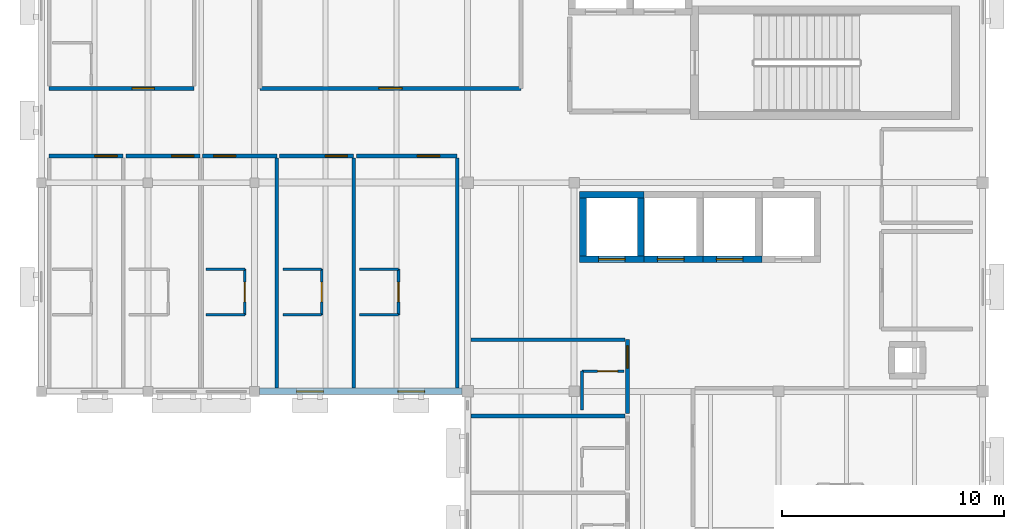
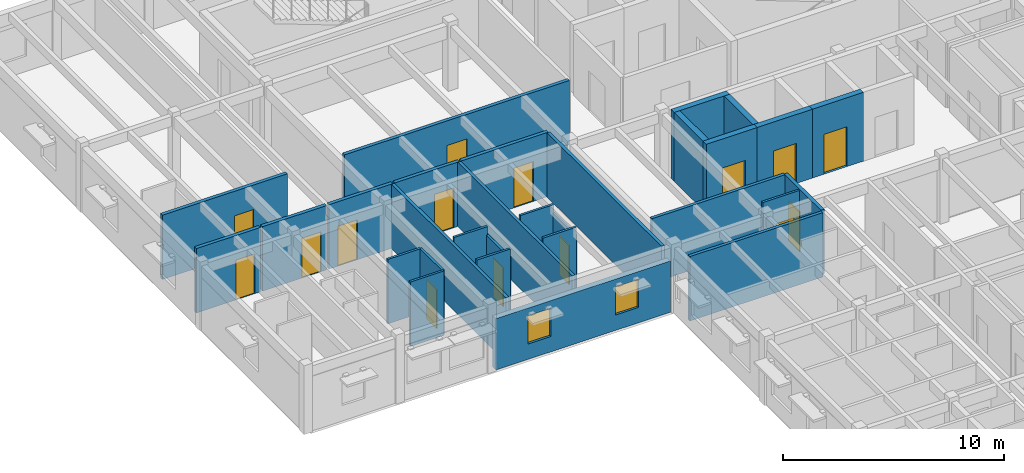
# One storey, part 13 of 20: 31 walls, 15 doors, 2 windows, 17 openings.
"""IFC4 building model written with IfcOpenShell, lengths in metres."""

from ifc_helpers import new_model, si_unit, direction, frame, frame_2d, origin, place, context, subcontext, project, spatial, rectangle, extrude, material, layer, layer_set, type_object, element, fill, save


model = new_model("IFC4")

# Units and contexts
model_context = context("Model", 3, precision=1e-05, world=origin(), true_north=direction((0.0, 1.0)))
body_context = subcontext(model_context, "Body", "Model", "MODEL_VIEW")
ifc_project = project(units=[si_unit("LENGTHUNIT", "METRE"), si_unit("AREAUNIT", "SQUARE_METRE"), si_unit("VOLUMEUNIT", "CUBIC_METRE"), si_unit("PLANEANGLEUNIT", "RADIAN"), si_unit("MASSUNIT", "GRAM", prefix="KILO")], contexts=[model_context])

# Site, building, storey
site_placement = place(None, origin())
site = spatial("IfcSite", under=ifc_project, at=site_placement, CompositionType="ELEMENT")
building_placement = place(site_placement, origin())
building = spatial("IfcBuilding", under=site, at=building_placement, Name="Veldera Park Congress Hotel", CompositionType="ELEMENT")
storey_placement = place(building_placement, frame((0.0, 0.0, 27.60009765625)))
storey = spatial("IfcBuildingStorey", under=building, at=storey_placement, Name="L06", CompositionType="ELEMENT", Elevation=27.60009765625)

# Wall, openings, windows
ifc_material_1 = material(Name="Cross-laminated timber CLT V2M1.1", Category="wood")
ifc_layer_1 = layer(ifc_material_1, 0.300048828125)
ifc_layer_set_1 = layer_set([ifc_layer_1], Name="Cross-laminated timber CLT V2M1.1")
wall_type_1 = type_object("IfcWallType", Name="EW-CLT300", PredefinedType="STANDARD", material=ifc_layer_set_1)
wall_1_placement = place(storey_placement, frame((51.423095703125, 27.0, 0.0), z_axis=(0.0, 0.0, 1.0), x_axis=(1.0, 0.0, 0.0)))
wall_1 = element("IfcWall", 1, at=wall_1_placement, inside=storey, type_object=wall_type_1, Name="L06 Exterior Wall EW3-L06-0331", PredefinedType="STANDARD", context=body_context, shape_type="SweptSolid", body=[
    extrude(rectangle(XDim=9.118896484375, YDim=0.300048828125, at=frame_2d((4.5595703125, 0.0))), origin(), (0.0, 0.0, 1.0), 2.829833984375),
])
opening_1_placement = place(wall_1_placement, frame((1.6796875, 0.0, 0.85009765625)))
opening_1 = element("IfcOpeningElement", 2, at=opening_1_placement, cuts=wall_1, Name="Opening WIN-1200", PredefinedType="OPENING", context=body_context, shape_type="SweptSolid", body=[
    extrude(rectangle(XDim=1.199951171875, YDim=1.550048828125, at=frame_2d((0.60009765625, 0.77490234375))), frame((0.0, 0.162109375, 0.0), z_axis=(0.0, -1.0, 0.0), x_axis=(1.0, 0.0, 0.0)), (0.0, 0.0, 1.0), 0.323974609375),
])
opening_2_placement = place(wall_1_placement, frame((6.2392578125, 0.0, 0.85009765625)))
opening_2 = element("IfcOpeningElement", 3, at=opening_2_placement, cuts=wall_1, Name="Opening WIN-1200", PredefinedType="OPENING", context=body_context, shape_type="SweptSolid", body=[
    extrude(rectangle(XDim=1.199951171875, YDim=1.550048828125, at=frame_2d((0.60009765625, 0.77490234375))), frame((0.0, 0.162109375, 0.0), z_axis=(0.0, -1.0, 0.0), x_axis=(1.0, 0.0, 0.0)), (0.0, 0.0, 1.0), 0.323974609375),
])
ifc_material_2 = material(Name="Low-E Triple Insulating Glass Unit (SHGC 0.22)", Category="glass")
window_type = type_object("IfcWindowType", Name="WIN-1200", PartitioningType="SINGLE_PANEL", PredefinedType="WINDOW", material=ifc_material_2)
window_1_placement = place(opening_1_placement, origin())
window_1 = element("IfcWindow", 4, at=window_1_placement, inside=storey, type_object=window_type, Name="L06 Window WIN-1200 252", OverallHeight=1.550048828125, OverallWidth=1.199951171875, PartitioningType="SINGLE_PANEL", PredefinedType="WINDOW", context=body_context, shape_type="SweptSolid", body=[
    extrude(rectangle(XDim=1.199951171875, YDim=1.550048828125, at=frame_2d((0.60009765625, 0.77490234375))), frame((0.0, 0.030029296875, 0.0), z_axis=(0.0, -1.0, 0.0), x_axis=(1.0, 0.0, 0.0)), (0.0, 0.0, 1.0), 0.06005859375),
])
fill(opening_1, window_1)
window_2_placement = place(opening_2_placement, origin())
window_2 = element("IfcWindow", 5, at=window_2_placement, inside=storey, type_object=window_type, Name="L06 Window WIN-1200 253", OverallHeight=1.550048828125, OverallWidth=1.199951171875, PartitioningType="SINGLE_PANEL", PredefinedType="WINDOW", context=body_context, shape_type="SweptSolid", body=[
    extrude(rectangle(XDim=1.199951171875, YDim=1.550048828125, at=frame_2d((0.60009765625, 0.77490234375))), frame((0.0, 0.030029296875, 0.0), z_axis=(0.0, -1.0, 0.0), x_axis=(1.0, 0.0, 0.0)), (0.0, 0.0, 1.0), 0.06005859375),
])
fill(opening_2, window_2)

# Wall
ifc_material_3 = material(Name="Fire-Rated Gypsum Board on Cold-Formed Steel Studs", Category="steel")
ifc_layer_2 = layer(ifc_material_3, 0.1201171875)
ifc_layer_set_2 = layer_set([ifc_layer_2], Name="Fire-Rated Gypsum Board on Cold-Formed Steel Studs")
wall_type_2 = type_object("IfcWallType", Name="IW-BATH120", PredefinedType="PARTITIONING", material=ifc_layer_set_2)
wall_2_placement = place(storey_placement, frame((65.949951171875, 26.159912109375, 0.0), z_axis=(0.0, 0.0, 1.0), x_axis=(0.0, 1.0, 0.0)))
element("IfcWall", 6, at=wall_2_placement, inside=storey, type_object=wall_type_2, Name="L06 Partition Wall IW3-L06-01258", PredefinedType="PARTITIONING", context=body_context, shape_type="SweptSolid", body=[
    extrude(rectangle(XDim=1.75, YDim=0.1201171875, at=frame_2d((0.875, 0.0))), origin(), (0.0, 0.0, 1.0), 2.929931640625),
])

# Wall, opening, door
wall_3_placement = place(storey_placement, frame((65.949951171875, 27.909912109375, 0.0), z_axis=(0.0, 0.0, 1.0), x_axis=(1.0, 0.0, 0.0)))
wall_3 = element("IfcWall", 7, at=wall_3_placement, inside=storey, type_object=wall_type_2, Name="L06 Partition Wall IW3-L06-01259", PredefinedType="PARTITIONING", context=body_context, shape_type="SweptSolid", body=[
    extrude(rectangle(XDim=1.900146484375, YDim=0.1201171875, at=frame_2d((0.9501953125, 0.0))), origin(), (0.0, 0.0, 1.0), 3.554931640625),
])
opening_3_placement = place(wall_3_placement, frame((0.708984375, 0.0, 0.0)))
opening_3 = element("IfcOpeningElement", 8, at=opening_3_placement, cuts=wall_3, Name="Opening ID-BATH090", PredefinedType="OPENING", context=body_context, shape_type="SweptSolid", body=[
    extrude(rectangle(XDim=0.89990234375, YDim=2.14990234375, at=frame_2d((0.449951171875, 1.074951171875))), frame((0.0, 0.072021484375, 0.0), z_axis=(0.0, -1.0, 0.0), x_axis=(1.0, 0.0, 0.0)), (0.0, 0.0, 1.0), 0.14404296875),
])
ifc_material_4 = material(Name="Solid Core White Oak Architectural Door", Category="wood")
door_type_1 = type_object("IfcDoorType", Name="ID-BATH090", OperationType="NOTDEFINED", PredefinedType="DOOR", material=ifc_material_4)
door_1_placement = place(opening_3_placement, origin())
door_1 = element("IfcDoor", 9, at=door_1_placement, inside=storey, type_object=door_type_1, Name="L06 En-suite 194 Door ID3-L06-0527 (DR3-ID3-L06-0527)", OperationType="SINGLE_SWING_LEFT", OverallHeight=2.14990234375, OverallWidth=0.89990234375, PredefinedType="DOOR", context=body_context, shape_type="SweptSolid", body=[
    extrude(rectangle(XDim=0.89990234375, YDim=2.14990234375, at=frame_2d((0.449951171875, 1.074951171875))), frame((0.0, 0.02490234375, 0.0), z_axis=(0.0, -1.0, 0.0), x_axis=(1.0, 0.0, 0.0)), (0.0, 0.0, 1.0), 0.050048828125),
])
fill(opening_3, door_1)

# Wall
wall_4_placement = place(storey_placement, frame((49.02001953125, 32.5, 0.0), z_axis=(0.0, 0.0, 1.0), x_axis=(1.0, 0.0, 0.0)))
element("IfcWall", 10, at=wall_4_placement, inside=storey, type_object=wall_type_2, Name="L06 Partition Wall IW3-L06-01345", PredefinedType="PARTITIONING", context=body_context, shape_type="SweptSolid", body=[
    extrude(rectangle(XDim=1.75, YDim=0.1201171875, at=frame_2d((0.875, 0.0))), origin(), (0.0, 0.0, 1.0), 3.554931640625),
])

# Wall, opening, door
wall_5_placement = place(storey_placement, frame((50.77001953125, 30.449951171875, 0.0), z_axis=(0.0, 0.0, 1.0), x_axis=(0.0, 1.0, 0.0)))
wall_5 = element("IfcWall", 11, at=wall_5_placement, inside=storey, type_object=wall_type_2, Name="L06 Partition Wall IW3-L06-01346", PredefinedType="PARTITIONING", context=body_context, shape_type="SweptSolid", body=[
    extrude(rectangle(XDim=2.050048828125, YDim=0.1201171875, at=frame_2d((1.02490234375, 0.0))), origin(), (0.0, 0.0, 1.0), 3.554931640625),
])
opening_4_placement = place(wall_5_placement, frame((0.574951171875, 0.0, 0.0)))
opening_4 = element("IfcOpeningElement", 12, at=opening_4_placement, cuts=wall_5, Name="Opening ID-BATH090", PredefinedType="OPENING", context=body_context, shape_type="SweptSolid", body=[
    extrude(rectangle(XDim=0.89990234375, YDim=2.14990234375, at=frame_2d((0.449951171875, 1.074951171875))), frame((0.0, 0.072021484375, 0.0), z_axis=(0.0, -1.0, 0.0), x_axis=(1.0, 0.0, 0.0)), (0.0, 0.0, 1.0), 0.14404296875),
])
door_2_placement = place(opening_4_placement, origin())
door_2 = element("IfcDoor", 13, at=door_2_placement, inside=storey, type_object=door_type_1, Name="L06 En-suite 211 Door ID3-L06-0561 (DR3-ID3-L06-0561)", OperationType="SINGLE_SWING_LEFT", OverallHeight=2.14990234375, OverallWidth=0.89990234375, PredefinedType="DOOR", context=body_context, shape_type="SweptSolid", body=[
    extrude(rectangle(XDim=0.89990234375, YDim=2.14990234375, at=frame_2d((0.449951171875, 1.074951171875))), frame((0.0, 0.02490234375, 0.0), z_axis=(0.0, -1.0, 0.0), x_axis=(1.0, 0.0, 0.0)), (0.0, 0.0, 1.0), 0.050048828125),
])
fill(opening_4, door_2)

# Walls
for number, where, z_axis, x_axis, name in (
    (14, (49.02001953125, 30.449951171875, 0.0), (0.0, 0.0, 1.0), (1.0, 0.0, 0.0), "L06 Partition Wall IW3-L06-01347"),
    (15, (52.47998046875, 32.5, 0.0), (0.0, 0.0, 1.0), (1.0, 0.0, 0.0), "L06 Partition Wall IW3-L06-01350"),
):
    element("IfcWall", number, at=place(storey_placement, frame(where, z_axis=z_axis, x_axis=x_axis)), inside=storey, type_object=wall_type_2, Name=name, PredefinedType="PARTITIONING", context=body_context, shape_type="SweptSolid", body=[
        extrude(rectangle(XDim=1.75, YDim=0.1201171875, at=frame_2d((0.875, 0.0))), origin(), (0.0, 0.0, 1.0), 3.554931640625),
    ])

# Wall, opening, door
wall_6_placement = place(storey_placement, frame((54.22998046875, 30.449951171875, 0.0), z_axis=(0.0, 0.0, 1.0), x_axis=(0.0, 1.0, 0.0)))
wall_6 = element("IfcWall", 16, at=wall_6_placement, inside=storey, type_object=wall_type_2, Name="L06 Partition Wall IW3-L06-01351", PredefinedType="PARTITIONING", context=body_context, shape_type="SweptSolid", body=[
    extrude(rectangle(XDim=2.050048828125, YDim=0.1201171875, at=frame_2d((1.02490234375, 0.0))), origin(), (0.0, 0.0, 1.0), 3.099853515625),
])
opening_5_placement = place(wall_6_placement, frame((0.574951171875, 0.0, 0.0)))
opening_5 = element("IfcOpeningElement", 17, at=opening_5_placement, cuts=wall_6, Name="Opening ID-BATH090", PredefinedType="OPENING", context=body_context, shape_type="SweptSolid", body=[
    extrude(rectangle(XDim=0.89990234375, YDim=2.14990234375, at=frame_2d((0.449951171875, 1.074951171875))), frame((0.0, 0.072021484375, 0.0), z_axis=(0.0, -1.0, 0.0), x_axis=(1.0, 0.0, 0.0)), (0.0, 0.0, 1.0), 0.14404296875),
])
door_3_placement = place(opening_5_placement, origin())
door_3 = element("IfcDoor", 18, at=door_3_placement, inside=storey, type_object=door_type_1, Name="L06 En-suite 212 Door ID3-L06-0563 (DR3-ID3-L06-0563)", OperationType="SINGLE_SWING_LEFT", OverallHeight=2.14990234375, OverallWidth=0.89990234375, PredefinedType="DOOR", context=body_context, shape_type="SweptSolid", body=[
    extrude(rectangle(XDim=0.89990234375, YDim=2.14990234375, at=frame_2d((0.449951171875, 1.074951171875))), frame((0.0, 0.02490234375, 0.0), z_axis=(0.0, -1.0, 0.0), x_axis=(1.0, 0.0, 0.0)), (0.0, 0.0, 1.0), 0.050048828125),
])
fill(opening_5, door_3)

# Walls
for number, where, z_axis, x_axis, name in (
    (19, (52.47998046875, 30.449951171875, 0.0), (0.0, 0.0, 1.0), (1.0, 0.0, 0.0), "L06 Partition Wall IW3-L06-01352"),
    (20, (55.93994140625, 32.5, 0.0), (0.0, 0.0, 1.0), (1.0, 0.0, 0.0), "L06 Partition Wall IW3-L06-01355"),
):
    element("IfcWall", number, at=place(storey_placement, frame(where, z_axis=z_axis, x_axis=x_axis)), inside=storey, type_object=wall_type_2, Name=name, PredefinedType="PARTITIONING", context=body_context, shape_type="SweptSolid", body=[
        extrude(rectangle(XDim=1.75, YDim=0.1201171875, at=frame_2d((0.875, 0.0))), origin(), (0.0, 0.0, 1.0), 3.554931640625),
    ])

# Wall, opening, door
wall_7_placement = place(storey_placement, frame((57.68994140625, 30.449951171875, 0.0), z_axis=(0.0, 0.0, 1.0), x_axis=(0.0, 1.0, 0.0)))
wall_7 = element("IfcWall", 21, at=wall_7_placement, inside=storey, type_object=wall_type_2, Name="L06 Partition Wall IW3-L06-01356", PredefinedType="PARTITIONING", context=body_context, shape_type="SweptSolid", body=[
    extrude(rectangle(XDim=2.050048828125, YDim=0.1201171875, at=frame_2d((1.02490234375, 0.0))), origin(), (0.0, 0.0, 1.0), 3.099853515625),
])
opening_6_placement = place(wall_7_placement, frame((0.574951171875, 0.0, 0.0)))
opening_6 = element("IfcOpeningElement", 22, at=opening_6_placement, cuts=wall_7, Name="Opening ID-BATH090", PredefinedType="OPENING", context=body_context, shape_type="SweptSolid", body=[
    extrude(rectangle(XDim=0.89990234375, YDim=2.14990234375, at=frame_2d((0.449951171875, 1.074951171875))), frame((0.0, 0.072021484375, 0.0), z_axis=(0.0, -1.0, 0.0), x_axis=(1.0, 0.0, 0.0)), (0.0, 0.0, 1.0), 0.14404296875),
])
door_4_placement = place(opening_6_placement, origin())
door_4 = element("IfcDoor", 23, at=door_4_placement, inside=storey, type_object=door_type_1, Name="L06 En-suite 213 Door ID3-L06-0565 (DR3-ID3-L06-0565)", OperationType="SINGLE_SWING_LEFT", OverallHeight=2.14990234375, OverallWidth=0.89990234375, PredefinedType="DOOR", context=body_context, shape_type="SweptSolid", body=[
    extrude(rectangle(XDim=0.89990234375, YDim=2.14990234375, at=frame_2d((0.449951171875, 1.074951171875))), frame((0.0, 0.02490234375, 0.0), z_axis=(0.0, -1.0, 0.0), x_axis=(1.0, 0.0, 0.0)), (0.0, 0.0, 1.0), 0.050048828125),
])
fill(opening_6, door_4)

# Wall
wall_8_placement = place(storey_placement, frame((55.93994140625, 30.449951171875, 0.0), z_axis=(0.0, 0.0, 1.0), x_axis=(1.0, 0.0, 0.0)))
element("IfcWall", 24, at=wall_8_placement, inside=storey, type_object=wall_type_2, Name="L06 Partition Wall IW3-L06-01357", PredefinedType="PARTITIONING", context=body_context, shape_type="SweptSolid", body=[
    extrude(rectangle(XDim=1.75, YDim=0.1201171875, at=frame_2d((0.875, 0.0))), origin(), (0.0, 0.0, 1.0), 3.554931640625),
])

# Wall, opening, door
ifc_layer_3 = layer(ifc_material_3, 0.179931640625)
ifc_layer_set_3 = layer_set([ifc_layer_3], Name="Fire-Rated Gypsum Board on Cold-Formed Steel Studs")
wall_type_3 = type_object("IfcWallType", Name="IW-CORR180", PredefinedType="PARTITIONING", material=ifc_layer_set_3)
wall_9_placement = place(storey_placement, frame((51.449951171875, 40.64990234375, 0.0), z_axis=(0.0, 0.0, 1.0), x_axis=(1.0, 0.0, 0.0)))
wall_9 = element("IfcWall", 25, at=wall_9_placement, inside=storey, type_object=wall_type_3, Name="L06 Partition Wall IW3-L06-00279", PredefinedType="PARTITIONING", context=body_context, shape_type="SweptSolid", body=[
    extrude(rectangle(XDim=11.75, YDim=0.179931640625, at=frame_2d((5.875, 0.0))), origin(), (0.0, 0.0, 1.0), 3.554931640625),
])
opening_7_placement = place(wall_9_placement, frame((5.35009765625, 0.0, 0.0)))
opening_7 = element("IfcOpeningElement", 26, at=opening_7_placement, cuts=wall_9, Name="Opening ID-MEET105", PredefinedType="OPENING", context=body_context, shape_type="SweptSolid", body=[
    extrude(rectangle(XDim=1.050048828125, YDim=2.199951171875, at=frame_2d((0.52490234375, 1.10009765625))), frame((0.0, 0.10205078125, 0.0), z_axis=(0.0, -1.0, 0.0), x_axis=(1.0, 0.0, 0.0)), (0.0, 0.0, 1.0), 0.203857421875),
])
door_type_2 = type_object("IfcDoorType", Name="ID-MEET105", OperationType="NOTDEFINED", PredefinedType="DOOR", material=ifc_material_4)
door_5_placement = place(opening_7_placement, origin())
door_5 = element("IfcDoor", 27, at=door_5_placement, inside=storey, type_object=door_type_2, Name="L06 L06 North Garden Executive Boardroom Door ID3-L06-0103 (DR3-ID3-L06-0103)", OperationType="SINGLE_SWING_RIGHT", OverallHeight=2.199951171875, OverallWidth=1.050048828125, PredefinedType="DOOR", context=body_context, shape_type="SweptSolid", body=[
    extrude(rectangle(XDim=1.050048828125, YDim=2.199951171875, at=frame_2d((0.52490234375, 1.10009765625))), frame((0.0, 0.02490234375, 0.0), z_axis=(0.0, -1.0, 0.0), x_axis=(1.0, 0.0, 0.0)), (0.0, 0.0, 1.0), 0.050048828125),
])
fill(opening_7, door_5)

wall_10_placement = place(storey_placement, frame((68.0, 26.010009765625, 0.0), z_axis=(0.0, 0.0, 1.0), x_axis=(0.0, 1.0, 0.0)))
wall_10 = element("IfcWall", 28, at=wall_10_placement, inside=storey, type_object=wall_type_3, Name="L06 Corridor Wall IW3-L06-01256", PredefinedType="PARTITIONING", context=body_context, shape_type="SweptSolid", body=[
    extrude(rectangle(XDim=3.320068359375, YDim=0.179931640625, at=frame_2d((1.66015625, 0.0))), origin(), (0.0, 0.0, 1.0), 3.554931640625),
])
opening_8_placement = place(wall_10_placement, frame((2.0400390625, 0.0, 0.0)))
opening_8 = element("IfcOpeningElement", 29, at=opening_8_placement, cuts=wall_10, Name="Opening ID-UNIT100", PredefinedType="OPENING", context=body_context, shape_type="SweptSolid", body=[
    extrude(rectangle(XDim=1.0, YDim=2.199951171875, at=frame_2d((0.5, 1.10009765625))), frame((0.0, 0.10205078125, 0.0), z_axis=(0.0, -1.0, 0.0), x_axis=(1.0, 0.0, 0.0)), (0.0, 0.0, 1.0), 0.203857421875),
])
door_type_3 = type_object("IfcDoorType", Name="ID-UNIT100", OperationType="NOTDEFINED", PredefinedType="DOOR", material=ifc_material_4)
door_6_placement = place(opening_8_placement, origin())
door_6 = element("IfcDoor", 30, at=door_6_placement, inside=storey, type_object=door_type_3, Name="L06 Guestroom 194 Entry Door (DR3-UD3-L06-194)", OperationType="SINGLE_SWING_RIGHT", OverallHeight=2.199951171875, OverallWidth=1.0, PredefinedType="DOOR", context=body_context, shape_type="SweptSolid", body=[
    extrude(rectangle(XDim=1.0, YDim=2.199951171875, at=frame_2d((0.5, 1.10009765625))), frame((0.0, 0.02490234375, 0.0), z_axis=(0.0, -1.0, 0.0), x_axis=(1.0, 0.0, 0.0)), (0.0, 0.0, 1.0), 0.050048828125),
])
fill(opening_8, door_6)

wall_11_placement = place(storey_placement, frame((45.2900390625, 37.60009765625, 0.0), z_axis=(0.0, 0.0, 1.0), x_axis=(-1.0, 0.0, 0.0)))
wall_11 = element("IfcWall", 31, at=wall_11_placement, inside=storey, type_object=wall_type_3, Name="L06 Corridor Wall IW3-L06-01332", PredefinedType="PARTITIONING", context=body_context, shape_type="SweptSolid", body=[
    extrude(rectangle(XDim=3.340087890625, YDim=0.179931640625, at=frame_2d((1.669921875, 0.0))), origin(), (0.0, 0.0, 1.0), 3.554931640625),
])
opening_9_placement = place(wall_11_placement, frame((0.280029296875, 0.0, 0.0)))
opening_9 = element("IfcOpeningElement", 32, at=opening_9_placement, cuts=wall_11, Name="Opening ID-UNIT100", PredefinedType="OPENING", context=body_context, shape_type="SweptSolid", body=[
    extrude(rectangle(XDim=1.0, YDim=2.199951171875, at=frame_2d((0.5, 1.10009765625))), frame((0.0, 0.10205078125, 0.0), z_axis=(0.0, -1.0, 0.0), x_axis=(1.0, 0.0, 0.0)), (0.0, 0.0, 1.0), 0.203857421875),
])
door_7_placement = place(opening_9_placement, frame((1.0, 0.0, 0.0), z_axis=(0.0, 0.0, 1.0), x_axis=(-1.0, 0.0, 0.0)))
door_7 = element("IfcDoor", 33, at=door_7_placement, inside=storey, type_object=door_type_3, Name="L06 Guestroom 209 Entry Door (DR3-UD3-L06-209)", OperationType="SINGLE_SWING_RIGHT", OverallHeight=2.199951171875, OverallWidth=1.0, PredefinedType="DOOR", context=body_context, shape_type="SweptSolid", body=[
    extrude(rectangle(XDim=1.0, YDim=2.199951171875, at=frame_2d((0.5, 1.10009765625))), frame((0.0, 0.02490234375, 0.0), z_axis=(0.0, -1.0, 0.0), x_axis=(1.0, 0.0, 0.0)), (0.0, 0.0, 1.0), 0.050048828125),
])
fill(opening_9, door_7)

wall_12_placement = place(storey_placement, frame((48.75, 37.60009765625, 0.0), z_axis=(0.0, 0.0, 1.0), x_axis=(-1.0, 0.0, 0.0)))
wall_12 = element("IfcWall", 34, at=wall_12_placement, inside=storey, type_object=wall_type_3, Name="L06 Corridor Wall IW3-L06-01338", PredefinedType="PARTITIONING", context=body_context, shape_type="SweptSolid", body=[
    extrude(rectangle(XDim=3.340087890625, YDim=0.179931640625, at=frame_2d((1.669921875, 0.0))), origin(), (0.0, 0.0, 1.0), 3.554931640625),
])
opening_10_placement = place(wall_12_placement, frame((0.280029296875, 0.0, 0.0)))
opening_10 = element("IfcOpeningElement", 35, at=opening_10_placement, cuts=wall_12, Name="Opening ID-UNIT100", PredefinedType="OPENING", context=body_context, shape_type="SweptSolid", body=[
    extrude(rectangle(XDim=1.0, YDim=2.199951171875, at=frame_2d((0.5, 1.10009765625))), frame((0.0, 0.10205078125, 0.0), z_axis=(0.0, -1.0, 0.0), x_axis=(1.0, 0.0, 0.0)), (0.0, 0.0, 1.0), 0.203857421875),
])
door_8_placement = place(opening_10_placement, frame((1.0, 0.0, 0.0), z_axis=(0.0, 0.0, 1.0), x_axis=(-1.0, 0.0, 0.0)))
door_8 = element("IfcDoor", 36, at=door_8_placement, inside=storey, type_object=door_type_3, Name="L06 Guestroom 210 Entry Door (DR3-UD3-L06-210)", OperationType="SINGLE_SWING_RIGHT", OverallHeight=2.199951171875, OverallWidth=1.0, PredefinedType="DOOR", context=body_context, shape_type="SweptSolid", body=[
    extrude(rectangle(XDim=1.0, YDim=2.199951171875, at=frame_2d((0.5, 1.10009765625))), frame((0.0, 0.02490234375, 0.0), z_axis=(0.0, -1.0, 0.0), x_axis=(1.0, 0.0, 0.0)), (0.0, 0.0, 1.0), 0.050048828125),
])
fill(opening_10, door_8)

wall_13_placement = place(storey_placement, frame((52.2099609375, 37.60009765625, 0.0), z_axis=(0.0, 0.0, 1.0), x_axis=(-1.0, 0.0, 0.0)))
wall_13 = element("IfcWall", 37, at=wall_13_placement, inside=storey, type_object=wall_type_3, Name="L06 Corridor Wall IW3-L06-01343", PredefinedType="PARTITIONING", context=body_context, shape_type="SweptSolid", body=[
    extrude(rectangle(XDim=3.33984375, YDim=0.179931640625, at=frame_2d((1.669921875, 0.0))), origin(), (0.0, 0.0, 1.0), 3.554931640625),
])
opening_11_placement = place(wall_13_placement, frame((1.8525390625, 0.0, 0.0)))
opening_11 = element("IfcOpeningElement", 38, at=opening_11_placement, cuts=wall_13, Name="Opening ID-UNIT100", PredefinedType="OPENING", context=body_context, shape_type="SweptSolid", body=[
    extrude(rectangle(XDim=1.0, YDim=2.199951171875, at=frame_2d((0.5, 1.10009765625))), frame((0.0, 0.10205078125, 0.0), z_axis=(0.0, -1.0, 0.0), x_axis=(1.0, 0.0, 0.0)), (0.0, 0.0, 1.0), 0.203857421875),
])
door_9_placement = place(opening_11_placement, frame((1.0, 0.0, 0.0), z_axis=(0.0, 0.0, 1.0), x_axis=(-1.0, 0.0, 0.0)))
door_9 = element("IfcDoor", 39, at=door_9_placement, inside=storey, type_object=door_type_3, Name="L06 Guestroom 211 Entry Door (DR3-UD3-L06-211)", OperationType="SINGLE_SWING_RIGHT", OverallHeight=2.199951171875, OverallWidth=1.0, PredefinedType="DOOR", context=body_context, shape_type="SweptSolid", body=[
    extrude(rectangle(XDim=1.0, YDim=2.199951171875, at=frame_2d((0.5, 1.10009765625))), frame((0.0, 0.02490234375, 0.0), z_axis=(0.0, -1.0, 0.0), x_axis=(1.0, 0.0, 0.0)), (0.0, 0.0, 1.0), 0.050048828125),
])
fill(opening_11, door_9)

wall_14_placement = place(storey_placement, frame((55.669921875, 37.60009765625, 0.0), z_axis=(0.0, 0.0, 1.0), x_axis=(-1.0, 0.0, 0.0)))
wall_14 = element("IfcWall", 40, at=wall_14_placement, inside=storey, type_object=wall_type_3, Name="L06 Corridor Wall IW3-L06-01348", PredefinedType="PARTITIONING", context=body_context, shape_type="SweptSolid", body=[
    extrude(rectangle(XDim=3.33984375, YDim=0.179931640625, at=frame_2d((1.669921875, 0.0))), origin(), (0.0, 0.0, 1.0), 3.554931640625),
])
opening_12_placement = place(wall_14_placement, frame((0.280029296875, 0.0, 0.0)))
opening_12 = element("IfcOpeningElement", 41, at=opening_12_placement, cuts=wall_14, Name="Opening ID-UNIT100", PredefinedType="OPENING", context=body_context, shape_type="SweptSolid", body=[
    extrude(rectangle(XDim=1.0, YDim=2.199951171875, at=frame_2d((0.5, 1.10009765625))), frame((0.0, 0.10205078125, 0.0), z_axis=(0.0, -1.0, 0.0), x_axis=(1.0, 0.0, 0.0)), (0.0, 0.0, 1.0), 0.203857421875),
])
door_10_placement = place(opening_12_placement, frame((1.0, 0.0, 0.0), z_axis=(0.0, 0.0, 1.0), x_axis=(-1.0, 0.0, 0.0)))
door_10 = element("IfcDoor", 42, at=door_10_placement, inside=storey, type_object=door_type_3, Name="L06 Guestroom 212 Entry Door (DR3-UD3-L06-212)", OperationType="SINGLE_SWING_RIGHT", OverallHeight=2.199951171875, OverallWidth=1.0, PredefinedType="DOOR", context=body_context, shape_type="SweptSolid", body=[
    extrude(rectangle(XDim=1.0, YDim=2.199951171875, at=frame_2d((0.5, 1.10009765625))), frame((0.0, 0.02490234375, 0.0), z_axis=(0.0, -1.0, 0.0), x_axis=(1.0, 0.0, 0.0)), (0.0, 0.0, 1.0), 0.050048828125),
])
fill(opening_12, door_10)

wall_15_placement = place(storey_placement, frame((60.330078125, 37.60009765625, 0.0), z_axis=(0.0, 0.0, 1.0), x_axis=(-1.0, 0.0, 0.0)))
wall_15 = element("IfcWall", 43, at=wall_15_placement, inside=storey, type_object=wall_type_3, Name="L06 Corridor Wall IW3-L06-01353", PredefinedType="PARTITIONING", context=body_context, shape_type="SweptSolid", body=[
    extrude(rectangle(XDim=4.5400390625, YDim=0.179931640625, at=frame_2d((2.27001953125, 0.0))), origin(), (0.0, 0.0, 1.0), 3.554931640625),
])
opening_13_placement = place(wall_15_placement, frame((0.7900390625, 0.0, 0.0)))
opening_13 = element("IfcOpeningElement", 44, at=opening_13_placement, cuts=wall_15, Name="Opening ID-UNIT100", PredefinedType="OPENING", context=body_context, shape_type="SweptSolid", body=[
    extrude(rectangle(XDim=1.0, YDim=2.199951171875, at=frame_2d((0.5, 1.10009765625))), frame((0.0, 0.10205078125, 0.0), z_axis=(0.0, -1.0, 0.0), x_axis=(1.0, 0.0, 0.0)), (0.0, 0.0, 1.0), 0.203857421875),
])
door_11_placement = place(opening_13_placement, frame((1.0, 0.0, 0.0), z_axis=(0.0, 0.0, 1.0), x_axis=(-1.0, 0.0, 0.0)))
door_11 = element("IfcDoor", 45, at=door_11_placement, inside=storey, type_object=door_type_3, Name="L06 Guestroom 213 Entry Door (DR3-UD3-L06-213)", OperationType="SINGLE_SWING_RIGHT", OverallHeight=2.199951171875, OverallWidth=1.0, PredefinedType="DOOR", context=body_context, shape_type="SweptSolid", body=[
    extrude(rectangle(XDim=1.0, YDim=2.199951171875, at=frame_2d((0.5, 1.10009765625))), frame((0.0, 0.02490234375, 0.0), z_axis=(0.0, -1.0, 0.0), x_axis=(1.0, 0.0, 0.0)), (0.0, 0.0, 1.0), 0.050048828125),
])
fill(opening_13, door_11)

wall_16_placement = place(storey_placement, frame((41.949951171875, 40.64990234375, 0.0), z_axis=(0.0, 0.0, 1.0), x_axis=(1.0, 0.0, 0.0)))
wall_16 = element("IfcWall", 46, at=wall_16_placement, inside=storey, type_object=wall_type_3, Name="L06 Corridor Wall IW3-L06-01369", PredefinedType="PARTITIONING", context=body_context, shape_type="SweptSolid", body=[
    extrude(rectangle(XDim=6.530029296875, YDim=0.179931640625, at=frame_2d((3.26513671875, 0.0))), origin(), (0.0, 0.0, 1.0), 3.554931640625),
])
opening_14_placement = place(wall_16_placement, frame((3.7451171875, 0.0, 0.0)))
opening_14 = element("IfcOpeningElement", 47, at=opening_14_placement, cuts=wall_16, Name="Opening ID-UNIT100", PredefinedType="OPENING", context=body_context, shape_type="SweptSolid", body=[
    extrude(rectangle(XDim=1.0, YDim=2.199951171875, at=frame_2d((0.5, 1.10009765625))), frame((0.0, 0.10205078125, 0.0), z_axis=(0.0, -1.0, 0.0), x_axis=(1.0, 0.0, 0.0)), (0.0, 0.0, 1.0), 0.203857421875),
])
door_12_placement = place(opening_14_placement, frame((1.0, 0.0, 0.0), z_axis=(0.0, 0.0, 1.0), x_axis=(-1.0, 0.0, 0.0)))
door_12 = element("IfcDoor", 48, at=door_12_placement, inside=storey, type_object=door_type_3, Name="L06 Guestroom 216 Entry Door (DR3-UD3-L06-216)", OperationType="SINGLE_SWING_RIGHT", OverallHeight=2.199951171875, OverallWidth=1.0, PredefinedType="DOOR", context=body_context, shape_type="SweptSolid", body=[
    extrude(rectangle(XDim=1.0, YDim=2.199951171875, at=frame_2d((0.5, 1.10009765625))), frame((0.0, 0.02490234375, 0.0), z_axis=(0.0, -1.0, 0.0), x_axis=(1.0, 0.0, 0.0)), (0.0, 0.0, 1.0), 0.050048828125),
])
fill(opening_14, door_12)

# Walls
ifc_layer_4 = layer(ifc_material_1, 0.159912109375)
ifc_layer_set_4 = layer_set([ifc_layer_4], Name="Cross-laminated timber CLT V2M1.1")
wall_type_4 = type_object("IfcWallType", Name="IW-UNIT160", PredefinedType="PARTITIONING", material=ifc_layer_set_4)
for number, where, z_axis, x_axis, name in (
    (49, (60.9599609375, 25.889892578125, 0.0), (0.0, 0.0, 1.0), (1.0, 0.0, 0.0), "L06 Partition Wall IW3-L06-01253"),
    (50, (60.9599609375, 29.330078125, 0.0), (0.0, 0.0, 1.0), (1.0, 0.0, 0.0), "L06 Partition Wall IW3-L06-01257"),
):
    element("IfcWall", number, at=place(storey_placement, frame(where, z_axis=z_axis, x_axis=x_axis)), inside=storey, type_object=wall_type_4, Name=name, PredefinedType="PARTITIONING", context=body_context, shape_type="SweptSolid", body=[
        extrude(rectangle(XDim=6.93994140625, YDim=0.159912109375, at=frame_2d((3.469970703125, 0.0))), origin(), (0.0, 0.0, 1.0), 3.554931640625),
    ])
for number, where, z_axis, x_axis, name in (
    (51, (52.2099609375, 27.159912109375, 0.0), (0.0, 0.0, 1.0), (0.0, 1.0, 0.0), "L06 Partition Wall IW3-L06-01344"),
    (52, (55.669921875, 27.159912109375, 0.0), (0.0, 0.0, 1.0), (0.0, 1.0, 0.0), "L06 Partition Wall IW3-L06-01349"),
    (53, (60.330078125, 27.159912109375, 0.0), (0.0, 0.0, 1.0), (0.0, 1.0, 0.0), "L06 Partition Wall IW3-L06-01354"),
):
    element("IfcWall", number, at=place(storey_placement, frame(where, z_axis=z_axis, x_axis=x_axis)), inside=storey, type_object=wall_type_4, Name=name, PredefinedType="PARTITIONING", context=body_context, shape_type="SweptSolid", body=[
        extrude(rectangle(XDim=10.340087890625, YDim=0.159912109375, at=frame_2d((5.169921875, 0.0))), origin(), (0.0, 0.0, 1.0), 3.554931640625),
    ])

# Wall, opening, door
ifc_material_5 = material(Name="Concrete f'c 40 MPa (5,800 psi)", Category="concrete")
ifc_layer_5 = layer(ifc_material_5, 0.300048828125)
ifc_layer_set_5 = layer_set([ifc_layer_5], Name="Concrete f'c 40 MPa (5,800 psi)")
wall_type_5 = type_object("IfcWallType", Name="SW-SHFT300", PredefinedType="SHEAR", material=ifc_layer_set_5)
wall_17_placement = place(storey_placement, frame((65.85009765625, 32.949951171875, 0.0), z_axis=(0.0, 0.0, 1.0), x_axis=(1.0, 0.0, 0.0)))
wall_17 = element("IfcWall", 54, at=wall_17_placement, inside=storey, type_object=wall_type_5, Name="Lift PL-01 Shaft Wall L06-S", PredefinedType="SHEAR", context=body_context, shape_type="SweptSolid", body=[
    extrude(rectangle(XDim=2.89990234375, YDim=0.300048828125, at=frame_2d((1.449951171875, 0.0))), origin(), (0.0, 0.0, 1.0), 3.7998046875),
])
opening_15_placement = place(wall_17_placement, frame((0.85009765625, 0.0, 0.0)))
opening_15 = element("IfcOpeningElement", 55, at=opening_15_placement, cuts=wall_17, Name="Opening LD-120", PredefinedType="OPENING", context=body_context, shape_type="SweptSolid", body=[
    extrude(rectangle(XDim=1.199951171875, YDim=2.199951171875, at=frame_2d((0.60009765625, 1.10009765625))), frame((0.0, 0.162109375, 0.0), z_axis=(0.0, -1.0, 0.0), x_axis=(1.0, 0.0, 0.0)), (0.0, 0.0, 1.0), 0.323974609375),
])
ifc_material_6 = material(Name="Hollow Metal Fire-Rated Steel Door", Category="steel")
door_type_4 = type_object("IfcDoorType", Name="LD-120", OperationType="DOUBLE_DOOR_SLIDING", PredefinedType="DOOR", material=ifc_material_6)
door_13_placement = place(opening_15_placement, origin())
door_13 = element("IfcDoor", 56, at=door_13_placement, inside=storey, type_object=door_type_4, Name="L06 Lift PL-01 Landing Door (DR3-LD-PL-01-L06)", OperationType="DOUBLE_DOOR_SLIDING", OverallHeight=2.199951171875, OverallWidth=1.199951171875, PredefinedType="DOOR", context=body_context, shape_type="SweptSolid", body=[
    extrude(rectangle(XDim=1.199951171875, YDim=2.199951171875, at=frame_2d((0.60009765625, 1.10009765625))), frame((0.0, 0.02490234375, 0.0), z_axis=(0.0, -1.0, 0.0), x_axis=(1.0, 0.0, 0.0)), (0.0, 0.0, 1.0), 0.050048828125),
])
fill(opening_15, door_13)

# Walls
wall_18_placement = place(storey_placement, frame((68.75, 35.85009765625, 0.0), z_axis=(0.0, 0.0, 1.0), x_axis=(-1.0, 0.0, 0.0)))
element("IfcWall", 57, at=wall_18_placement, inside=storey, type_object=wall_type_5, Name="Lift PL-01 Shaft Wall L06-N", PredefinedType="SHEAR", context=body_context, shape_type="SweptSolid", body=[
    extrude(rectangle(XDim=2.89990234375, YDim=0.300048828125, at=frame_2d((1.449951171875, 0.0))), origin(), (0.0, 0.0, 1.0), 3.7998046875),
])
for number, where, z_axis, x_axis, name in (
    (58, (68.60009765625, 33.10009765625, 0.0), (0.0, 0.0, 1.0), (0.0, 1.0, 0.0), "Lift PL-01 Shaft Wall L06-E"),
    (59, (66.0, 35.699951171875, 0.0), (0.0, 0.0, 1.0), (0.0, -1.0, 0.0), "Lift PL-01 Shaft Wall L06-W"),
):
    element("IfcWall", number, at=place(storey_placement, frame(where, z_axis=z_axis, x_axis=x_axis)), inside=storey, type_object=wall_type_5, Name=name, PredefinedType="SHEAR", context=body_context, shape_type="SweptSolid", body=[
        extrude(rectangle(XDim=2.599853515625, YDim=0.300048828125, at=frame_2d((1.2998046875, 0.0))), origin(), (0.0, 0.0, 1.0), 3.7998046875),
    ])

# Wall, opening, door
wall_19_placement = place(storey_placement, frame((68.5, 32.949951171875, 0.0), z_axis=(0.0, 0.0, 1.0), x_axis=(1.0, 0.0, 0.0)))
wall_19 = element("IfcWall", 60, at=wall_19_placement, inside=storey, type_object=wall_type_5, Name="Lift PL-02 Shaft Wall L06-S", PredefinedType="SHEAR", context=body_context, shape_type="SweptSolid", body=[
    extrude(rectangle(XDim=2.89990234375, YDim=0.300048828125, at=frame_2d((1.449951171875, 0.0))), origin(), (0.0, 0.0, 1.0), 3.7998046875),
])
opening_16_placement = place(wall_19_placement, frame((0.85009765625, 0.0, 0.0)))
opening_16 = element("IfcOpeningElement", 61, at=opening_16_placement, cuts=wall_19, Name="Opening LD-120", PredefinedType="OPENING", context=body_context, shape_type="SweptSolid", body=[
    extrude(rectangle(XDim=1.199951171875, YDim=2.199951171875, at=frame_2d((0.60009765625, 1.10009765625))), frame((0.0, 0.162109375, 0.0), z_axis=(0.0, -1.0, 0.0), x_axis=(1.0, 0.0, 0.0)), (0.0, 0.0, 1.0), 0.323974609375),
])
door_14_placement = place(opening_16_placement, origin())
door_14 = element("IfcDoor", 62, at=door_14_placement, inside=storey, type_object=door_type_4, Name="L06 Lift PL-02 Landing Door (DR3-LD-PL-02-L06)", OperationType="DOUBLE_DOOR_SLIDING", OverallHeight=2.199951171875, OverallWidth=1.199951171875, PredefinedType="DOOR", context=body_context, shape_type="SweptSolid", body=[
    extrude(rectangle(XDim=1.199951171875, YDim=2.199951171875, at=frame_2d((0.60009765625, 1.10009765625))), frame((0.0, 0.02490234375, 0.0), z_axis=(0.0, -1.0, 0.0), x_axis=(1.0, 0.0, 0.0)), (0.0, 0.0, 1.0), 0.050048828125),
])
fill(opening_16, door_14)

wall_20_placement = place(storey_placement, frame((71.14990234375, 32.949951171875, 0.0), z_axis=(0.0, 0.0, 1.0), x_axis=(1.0, 0.0, 0.0)))
wall_20 = element("IfcWall", 63, at=wall_20_placement, inside=storey, type_object=wall_type_5, Name="Lift PL-03 Shaft Wall L06-S", PredefinedType="SHEAR", context=body_context, shape_type="SweptSolid", body=[
    extrude(rectangle(XDim=2.900146484375, YDim=0.300048828125, at=frame_2d((1.4501953125, 0.0))), origin(), (0.0, 0.0, 1.0), 3.7998046875),
])
opening_17_placement = place(wall_20_placement, frame((0.85009765625, 0.0, 0.0)))
opening_17 = element("IfcOpeningElement", 64, at=opening_17_placement, cuts=wall_20, Name="Opening LD-120", PredefinedType="OPENING", context=body_context, shape_type="SweptSolid", body=[
    extrude(rectangle(XDim=1.199951171875, YDim=2.199951171875, at=frame_2d((0.60009765625, 1.10009765625))), frame((0.0, 0.162109375, 0.0), z_axis=(0.0, -1.0, 0.0), x_axis=(1.0, 0.0, 0.0)), (0.0, 0.0, 1.0), 0.323974609375),
])
door_15_placement = place(opening_17_placement, origin())
door_15 = element("IfcDoor", 65, at=door_15_placement, inside=storey, type_object=door_type_4, Name="L06 Lift PL-03 Landing Door (DR3-LD-PL-03-L06)", OperationType="DOUBLE_DOOR_SLIDING", OverallHeight=2.199951171875, OverallWidth=1.199951171875, PredefinedType="DOOR", context=body_context, shape_type="SweptSolid", body=[
    extrude(rectangle(XDim=1.199951171875, YDim=2.199951171875, at=frame_2d((0.60009765625, 1.10009765625))), frame((0.0, 0.02490234375, 0.0), z_axis=(0.0, -1.0, 0.0), x_axis=(1.0, 0.0, 0.0)), (0.0, 0.0, 1.0), 0.050048828125),
])
fill(opening_17, door_15)

save(model, "model.ifc")
